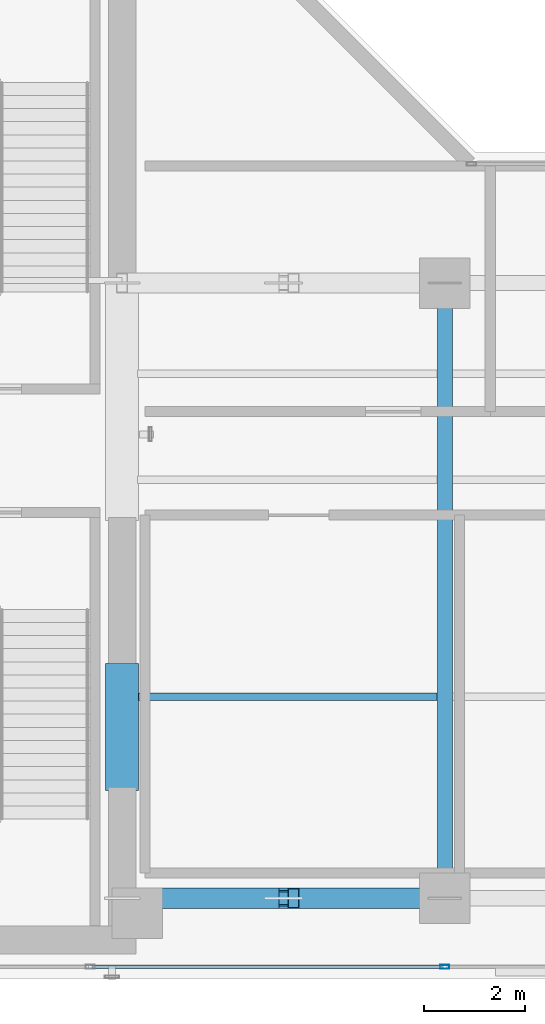
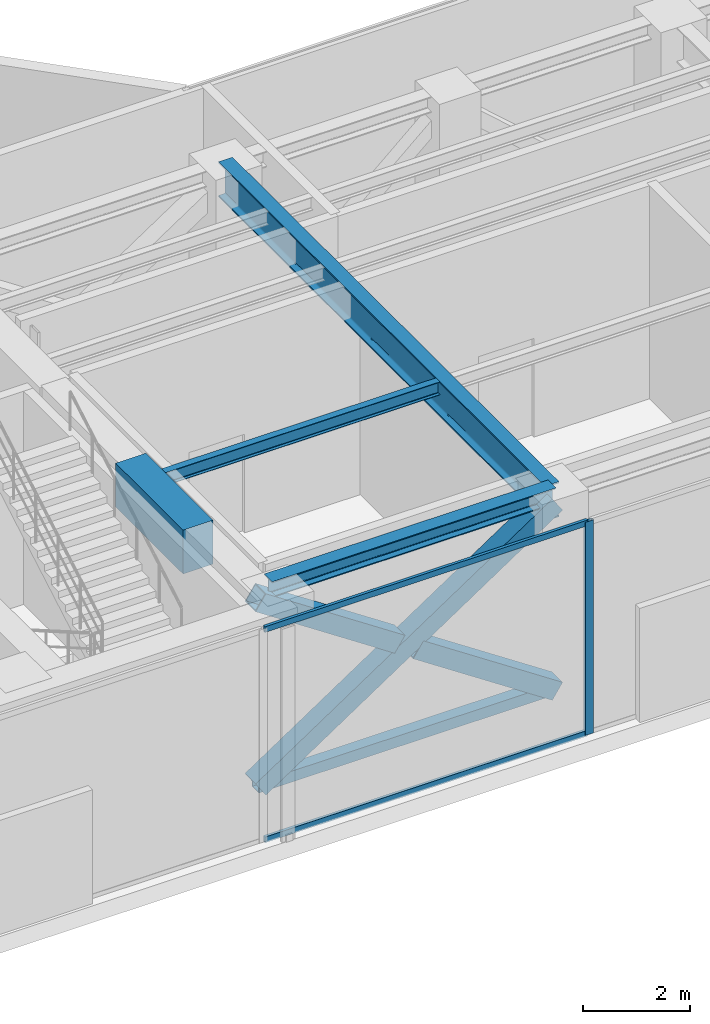
# One storey, part 6 of 31: 7 members, 4 beams, 1 element without a shape of its own.
"""IFC4 building model written with IfcOpenShell, lengths in metres."""

import ifcopenshell
import ifcopenshell.guid

model = None  # the IFC model being written
_history = None  # IfcOwnerHistory: only IFC2X3 demands one
_inside = {}  # id of a spatial element -> (the spatial element, [elements in it])
_under = {}  # id of a project, library or spatial element -> (it, [spatial elements below it])
_declared = {}  # id of a project -> (the project, [libraries it declares])
_typed = {}  # id of a type object -> (the type object, [elements of that type])
_made_of = {}  # id of a material, layer set ... -> (it, [elements and type objects made of it])


def new_model(schema):
    """Start an empty IFC model of exactly this schema.

    Asked for "IFC4X3", IfcOpenShell would pick the latest addendum, in which some entities
    have other attributes; the version numbers below select the first issue.
    IFC2X3 requires an IfcOwnerHistory on every rooted entity: one is made here for all.
    """
    global model, _history
    if schema == "IFC4X3":
        model = ifcopenshell.file(schema_version=(4, 3, 0, 0))
    else:
        model = ifcopenshell.file(schema=schema)
    _inside.clear()
    _under.clear()
    _declared.clear()
    _typed.clear()
    _made_of.clear()
    _history = None
    if model.schema == "IFC2X3":
        org = make("IfcOrganization", Name="unknown")
        user = make(
            "IfcPersonAndOrganization",
            ThePerson=make("IfcPerson", FamilyName="unknown"),
            TheOrganization=org,
        )
        app = make(
            "IfcApplication",
            ApplicationDeveloper=org,
            Version="unknown",
            ApplicationFullName="unknown",
            ApplicationIdentifier="unknown",
        )
        _history = make(
            "IfcOwnerHistory",
            OwningUser=user,
            OwningApplication=app,
            ChangeAction="ADDED",
            CreationDate=0,
        )
    return model


def make(cls, **values):
    """One entity of the class cls with the attributes given. An attribute that is None is left unset."""
    return model.create_entity(
        cls, **{name: value for name, value in values.items() if value is not None}
    )


def rooted(cls, **values):
    """An entity with a GlobalId (a new one), such as an element, a storey or a relation."""
    return make(cls, GlobalId=ifcopenshell.guid.new(), OwnerHistory=_history, **values)


def si_unit(unit_type, name, prefix=None):
    """IfcSIUnit, for example si_unit("LENGTHUNIT", "METRE", prefix="MILLI")."""
    return make("IfcSIUnit", UnitType=unit_type, Prefix=prefix, Name=name)


def assignment(units):
    """IfcUnitAssignment: the units of a project."""
    return None if units is None else make("IfcUnitAssignment", Units=units)


def point(xyz):
    """IfcCartesianPoint."""
    return None if xyz is None else make("IfcCartesianPoint", Coordinates=xyz)


def direction(xyz):
    """IfcDirection."""
    return None if xyz is None else make("IfcDirection", DirectionRatios=xyz)


def frame(location, z_axis=None, x_axis=None):
    """IfcAxis2Placement3D, a coordinate frame: its origin and axes. An axis left out is left unset."""
    return make(
        "IfcAxis2Placement3D",
        Location=point(location),
        Axis=direction(z_axis),
        RefDirection=direction(x_axis),
    )


def frame_2d(location, x_axis=None):
    """IfcAxis2Placement2D, a coordinate frame in the plane: its origin and x axis."""
    return make(
        "IfcAxis2Placement2D", Location=point(location), RefDirection=direction(x_axis)
    )


def origin():
    """The frame at (0, 0, 0) with its axes left unset."""
    return frame((0.0, 0.0, 0.0))


def origin_with_axes():
    """The frame at (0, 0, 0) with the z axis (0, 0, 1) and the x axis (1, 0, 0) written out."""
    return frame((0.0, 0.0, 0.0), z_axis=(0.0, 0.0, 1.0), x_axis=(1.0, 0.0, 0.0))


def origin_2d():
    """The frame at (0, 0) in the plane with its x axis left unset."""
    return frame_2d((0.0, 0.0))


def place(relative_to, where):
    """IfcLocalPlacement: puts the frame where relative to a parent placement (None: the world)."""
    return make(
        "IfcLocalPlacement", PlacementRelTo=relative_to, RelativePlacement=where
    )


def context(
    kind, dimensions, precision=None, world=None, true_north=None, identifier=None
):
    """IfcGeometricRepresentationContext, for example the 3D "Model" context."""
    return make(
        "IfcGeometricRepresentationContext",
        ContextIdentifier=identifier,
        ContextType=kind,
        CoordinateSpaceDimension=dimensions,
        Precision=precision,
        WorldCoordinateSystem=world,
        TrueNorth=true_north,
    )


def subcontext(parent, identifier, kind, view, scale=None):
    """IfcGeometricRepresentationSubContext, for example "Body" below "Model"."""
    return make(
        "IfcGeometricRepresentationSubContext",
        ContextIdentifier=identifier,
        ContextType=kind,
        ParentContext=parent,
        TargetScale=scale,
        TargetView=view,
    )


def project(units=None, contexts=None):
    """IfcProject with its units and contexts."""
    return rooted(
        "IfcProject",
        Name="project",
        RepresentationContexts=contexts,
        UnitsInContext=assignment(units),
    )


def spatial(cls, under=None, at=None, **own):
    """A site, building, storey or space (cls), placed at a placement, below another one or the project."""
    s = rooted(cls, ObjectPlacement=at, **own)
    if under is not None:
        _under.setdefault(under.id(), (under, []))[1].append(s)
    return s


def profile(cls, at=None, kind="AREA", **sizes):
    """A parametric profile (cls). Its sizes go by their IFC names, for example OverallWidth=200.0."""
    return make(cls, ProfileType=kind, Position=at, **sizes)


def rectangle(**sizes):
    """IfcRectangleProfileDef."""
    return profile("IfcRectangleProfileDef", **sizes)


def hollow_rectangle(**sizes):
    """IfcRectangleHollowProfileDef."""
    return profile("IfcRectangleHollowProfileDef", **sizes)


def i_section(**sizes):
    """IfcIShapeProfileDef."""
    return profile("IfcIShapeProfileDef", **sizes)


def extrude(swept, where, along, depth):
    """IfcExtrudedAreaSolid: the profile swept, set in the frame where, extruded along a direction by depth."""
    return make(
        "IfcExtrudedAreaSolid",
        SweptArea=swept,
        Position=where,
        ExtrudedDirection=direction(along),
        Depth=depth,
    )


def shape(context_of_items, identifier, shape_type, items):
    """IfcShapeRepresentation: the items that make up one representation, for example the "Body"."""
    return make(
        "IfcShapeRepresentation",
        ContextOfItems=context_of_items,
        RepresentationIdentifier=identifier,
        RepresentationType=shape_type,
        Items=items,
    )


def source(mapping_origin, context_of_items, identifier, shape_type, items):
    """IfcRepresentationMap: a shape defined once, which mapped items show again and again."""
    return make(
        "IfcRepresentationMap",
        MappingOrigin=mapping_origin,
        MappedRepresentation=shape(context_of_items, identifier, shape_type, items),
    )


def transform(
    local_origin,
    x_axis=None,
    y_axis=None,
    z_axis=None,
    scale=None,
    scale2=None,
    scale3=None,
    uniform=True,
):
    """IfcCartesianTransformationOperator3D, or its non-uniform kind. x_axis, y_axis, z_axis: its Axis1, 2, 3."""
    if uniform:
        return make(
            "IfcCartesianTransformationOperator3D",
            Axis1=direction(x_axis),
            Axis2=direction(y_axis),
            LocalOrigin=point(local_origin),
            Scale=scale,
            Axis3=direction(z_axis),
        )
    return make(
        "IfcCartesianTransformationOperator3DnonUniform",
        Axis1=direction(x_axis),
        Axis2=direction(y_axis),
        LocalOrigin=point(local_origin),
        Scale=scale,
        Axis3=direction(z_axis),
        Scale2=scale2,
        Scale3=scale3,
    )


def mapped(mapping_source, mapping_target):
    """IfcMappedItem: shows the shape of a source again, moved by a transform."""
    return make(
        "IfcMappedItem", MappingSource=mapping_source, MappingTarget=mapping_target
    )


def material(Name=None, Category=None):
    """IfcMaterial."""
    return make("IfcMaterial", Name=Name, Category=Category)


def layer(
    of_material, thickness, ventilated=None, Name=None, Category=None, Priority=None
):
    """IfcMaterialLayer: one layer of a wall or slab, of a material (None: an air gap)."""
    return make(
        "IfcMaterialLayer",
        Material=of_material,
        LayerThickness=thickness,
        IsVentilated=ventilated,
        Name=Name,
        Category=Category,
        Priority=Priority,
    )


def layer_set(layers, Name=None):
    """IfcMaterialLayerSet."""
    return make("IfcMaterialLayerSet", MaterialLayers=layers, LayerSetName=Name)


def material_profile(
    of_material, cross_section, Name=None, Category=None, Priority=None
):
    """IfcMaterialProfile: a cross section and its material."""
    return make(
        "IfcMaterialProfile",
        Name=Name,
        Material=of_material,
        Profile=cross_section,
        Priority=Priority,
        Category=Category,
    )


def profile_set(profiles, Name=None, composite=None):
    """IfcMaterialProfileSet."""
    return make(
        "IfcMaterialProfileSet",
        Name=Name,
        MaterialProfiles=profiles,
        CompositeProfile=composite,
    )


def made_of(thing, what):
    """Note that an element or type object is made of a material, layer set ...; save() writes the relation."""
    if what is not None:
        _made_of.setdefault(what.id(), (what, []))[1].append(thing)
    return thing


def type_object(cls, material=None, **own):
    """A type object (cls), such as IfcWallType, which elements share."""
    return made_of(rooted(cls, **own), material)


def element(
    cls,
    number,
    at=None,
    inside=None,
    cuts=None,
    type_object=None,
    material=None,
    context=None,
    identifier="Body",
    shape_type=None,
    held_by="IfcProductDefinitionShape",
    body=None,
    shapes=None,
    **own,
):
    """One element of the class cls, such as IfcWall. Its Tag is "e" and its number.

    at: its placement. inside: the storey or other place that contains it. cuts: it is an
    opening in that element (IfcRelVoidsElement). A single representation is given by context,
    identifier, shape_type and body (its items); several are given by shapes. held_by: the class
    of the entity that holds the representations. save() writes the other relations.
    """
    e = rooted(cls, Tag="e%d" % number, ObjectPlacement=at, **own)
    if body is not None:
        shapes = [shape(context, identifier, shape_type, body)]
    if shapes is not None:
        e.Representation = make(held_by, Representations=shapes)
    if inside is not None:
        _inside.setdefault(inside.id(), (inside, []))[1].append(e)
    if cuts is not None:
        rooted(
            "IfcRelVoidsElement", RelatingBuildingElement=cuts, RelatedOpeningElement=e
        )
    if type_object is not None:
        _typed.setdefault(type_object.id(), (type_object, []))[1].append(e)
    return made_of(e, material)


def aggregate(whole, parts):
    """IfcRelAggregates: a whole, such as a stair, and the parts it consists of."""
    return rooted("IfcRelAggregates", RelatingObject=whole, RelatedObjects=parts)


def save(model, path):
    """Write the relations noted so far, then the file.

    IfcRelAggregates (storeys below a building ...), IfcRelContainedInSpatialStructure (elements
    in a storey), IfcRelDefinesByType, IfcRelAssociatesMaterial and IfcRelDeclares: one each for
    every whole, place, type object, material and project.
    """
    for whole, parts in _under.values():
        aggregate(whole, parts)
    for where, things in _inside.values():
        rooted(
            "IfcRelContainedInSpatialStructure",
            RelatedElements=things,
            RelatingStructure=where,
        )
    for kind, things in _typed.values():
        rooted("IfcRelDefinesByType", RelatedObjects=things, RelatingType=kind)
    for what, things in _made_of.values():
        rooted("IfcRelAssociatesMaterial", RelatedObjects=things, RelatingMaterial=what)
    for by, libraries in _declared.values():
        rooted("IfcRelDeclares", RelatingContext=by, RelatedDefinitions=libraries)
    model.write(path)


model = new_model("IFC4")

# Units and contexts
model_context = context("Model", 3, precision=1e-05, world=origin(), true_north=direction((0.0, 1.0)))
body_context = subcontext(model_context, "Body", "Model", "MODEL_VIEW")
ifc_project = project(units=[si_unit("LENGTHUNIT", "METRE"), si_unit("AREAUNIT", "SQUARE_METRE"), si_unit("VOLUMEUNIT", "CUBIC_METRE"), si_unit("PLANEANGLEUNIT", "RADIAN"), si_unit("MASSUNIT", "GRAM", prefix="KILO")], contexts=[model_context])

# Site, building, storey
site_placement = place(None, origin())
site = spatial("IfcSite", under=ifc_project, at=site_placement, CompositionType="ELEMENT")
building_placement = place(site_placement, origin())
building = spatial("IfcBuilding", under=site, at=building_placement, Name="Kolvaren Waterfront Exchange", CompositionType="ELEMENT")
storey_placement = place(building_placement, frame((0.0, 0.0, 257.699951171875)))
storey = spatial("IfcBuildingStorey", under=building, at=storey_placement, Name="L66", CompositionType="ELEMENT", Elevation=257.699951171875)

# Beams
ifc_material_1 = material(Name="Steel S355", Category="steel")
ifc_material_profile_1 = material_profile(ifc_material_1, i_section(OverallWidth=0.300048828125, OverallDepth=0.360107421875, WebThickness=0.012451171875, FlangeThickness=0.0224609375, FilletRadius=0.027099609375, at=origin_2d()), Name="HEB360")
ifc_profile_set_1 = profile_set([ifc_material_profile_1], Name="Steel S355")
beam_type_1 = type_object("IfcBeamType", Name="STR-BM-HEB360", PredefinedType="SPANDREL", material=ifc_profile_set_1)
beam_1_placement = place(storey_placement, frame((21.074951171875, 5.199951171875, 4.679931640625), z_axis=(1.0, 0.0, 0.0), x_axis=(0.0, 1.0, 0.0)))
element("IfcBeam", 1, at=beam_1_placement, inside=storey, type_object=beam_type_1, Name="L66 east-arm spandrel S1", PredefinedType="SPANDREL", context=body_context, shape_type="SweptSolid", body=[
    extrude(i_section(OverallWidth=0.300048828125, OverallDepth=0.360107421875, WebThickness=0.012451171875, FlangeThickness=0.0224609375, FilletRadius=0.027099609375, at=origin_2d()), origin(), (0.0, 0.0, 1.0), 6.125),
])
ifc_material_profile_2 = material_profile(ifc_material_1, i_section(OverallWidth=0.300048828125, OverallDepth=0.800048828125, WebThickness=0.017578125, FlangeThickness=0.032958984375, FilletRadius=0.030029296875, at=origin_2d()), Name="HEB800")
ifc_profile_set_2 = profile_set([ifc_material_profile_2], Name="Steel S355")
beam_type_2 = type_object("IfcBeamType", Name="STR-BM-HEB800", PredefinedType="BEAM", material=ifc_profile_set_2)
beam_2_placement = place(storey_placement, frame((27.199951171875, 5.199951171875, 4.4599609375), z_axis=(0.0, 1.0, 0.0), x_axis=(-1.0, 0.0, 0.0)))
element("IfcBeam", 2, at=beam_2_placement, inside=storey, type_object=beam_type_2, Name="L66 east-arm transverse girder X27", PredefinedType="BEAM", context=body_context, shape_type="SweptSolid", body=[
    extrude(i_section(OverallWidth=0.300048828125, OverallDepth=0.800048828125, WebThickness=0.017578125, FlangeThickness=0.032958984375, FilletRadius=0.030029296875, at=origin_2d()), origin(), (0.0, 0.0, 1.0), 12.199951171875),
])
ifc_material_profile_3 = material_profile(ifc_material_1, i_section(OverallWidth=0.14990234375, OverallDepth=0.300048828125, WebThickness=0.007080078125, FlangeThickness=0.0107421875, FilletRadius=0.014892578125, at=origin_2d()), Name="IPE300")
ifc_profile_set_3 = profile_set([ifc_material_profile_3], Name="Steel S355")
beam_type_3 = type_object("IfcBeamType", Name="STR-BM-IPE300", PredefinedType="JOIST", material=ifc_profile_set_3)
beam_3_placement = place(storey_placement, frame((21.10009765625, 9.199951171875, 4.7099609375), z_axis=(1.0, 0.0, 0.0), x_axis=(0.0, 1.0, 0.0)))
element("IfcBeam", 3, at=beam_3_placement, inside=storey, type_object=beam_type_3, Name="L66 east-arm composite joist 1B", PredefinedType="JOIST", context=body_context, shape_type="SweptSolid", body=[
    extrude(i_section(OverallWidth=0.14990234375, OverallDepth=0.300048828125, WebThickness=0.007080078125, FlangeThickness=0.0107421875, FilletRadius=0.014892578125, at=origin_2d()), origin(), (0.0, 0.0, 1.0), 5.947998046875),
])

# Members
ifc_material_profile_4 = material_profile(ifc_material_1, hollow_rectangle(XDim=0.25, YDim=0.25, WallThickness=0.012451171875, at=origin_2d()), Name="SHS250x250x12.5")
ifc_profile_set_4 = profile_set([ifc_material_profile_4], Name="Steel S355")
member_type_1 = type_object("IfcMemberType", Name="STR-BR-SHS250", PredefinedType="CHORD", material=ifc_profile_set_4)
member_1_placement = place(storey_placement, frame((20.800048828125, 5.199951171875, 0.25), z_axis=(1.0, 0.0, 0.0), x_axis=(0.0, 1.0, 0.0)))
element("IfcMember", 4, at=member_1_placement, inside=storey, type_object=member_type_1, Name="L66 outrigger bottom chord OA1", PredefinedType="CHORD", context=body_context, shape_type="SweptSolid", body=[
    extrude(hollow_rectangle(XDim=0.25, YDim=0.25, WallThickness=0.012451171875, at=origin_2d()), origin(), (0.0, 0.0, 1.0), 6.39990234375),
])
ifc_material_2 = material(Name="Steel S460", Category="steel")
ifc_material_profile_5 = material_profile(ifc_material_2, hollow_rectangle(XDim=0.39990234375, YDim=0.39990234375, WallThickness=0.02001953125, at=origin_2d()), Name="SHS400x400x20")
ifc_profile_set_5 = profile_set([ifc_material_profile_5], Name="Steel S460")
member_type_2 = type_object("IfcMemberType", Name="STR-BR-SHS400", PredefinedType="BRACE", material=ifc_profile_set_5)
member_2_placement = place(storey_placement, frame((20.800048828125, 5.199951171875, 0.25), z_axis=(0.832445808378, 0.0, 0.554106466407), x_axis=(0.0, 1.0, 0.0)))
element("IfcMember", 5, at=member_2_placement, inside=storey, type_object=member_type_2, Name="L66 outrigger diagonal OA1.1", PredefinedType="BRACE", context=body_context, shape_type="SweptSolid", body=[
    extrude(hollow_rectangle(XDim=0.39990234375, YDim=0.39990234375, WallThickness=0.02001953125, at=origin_2d()), origin(), (0.0, 0.0, 1.0), 7.68798828125),
])
for number, where, z_axis, x_axis, name in (
    (6, (27.199951171875, 5.199951171875, 0.25), (-0.832446095636, 0.0, 0.554106034853), (0.0, -1.0, 0.0), "L66 outrigger split diagonal OA1.2A"),
    (7, (23.80029296875, 5.199951171875, 2.512939453125), (-0.832446095636, 0.0, 0.554106034853), (0.0, -1.0, 0.0), "L66 outrigger split diagonal OA1.2B"),
):
    element("IfcMember", number, at=place(storey_placement, frame(where, z_axis=z_axis, x_axis=x_axis)), inside=storey, type_object=member_type_2, Name=name, PredefinedType="BRACE", context=body_context, shape_type="SweptSolid", body=[
        extrude(hollow_rectangle(XDim=0.39990234375, YDim=0.39990234375, WallThickness=0.02001953125, at=origin_2d()), origin(), (0.0, 0.0, 1.0), 3.604248046875),
    ])

# Beam
ifc_material_3 = material(Name="Concrete C60/75", Category="concrete")
ifc_material_profile_6 = material_profile(ifc_material_3, rectangle(XDim=0.64990234375, YDim=1.0, at=origin_2d()), Name="RC-CB-1000x650")
ifc_profile_set_6 = profile_set([ifc_material_profile_6], Name="Concrete C60/75")
beam_type_4 = type_object("IfcBeamType", Name="STR-CB-1000", PredefinedType="SPANDREL", material=ifc_profile_set_6)
beam_4_placement = place(storey_placement, frame((20.800048828125, 7.340087890625, 4.360107421875), z_axis=(0.0, 1.0, 0.0), x_axis=(-1.0, 0.0, 0.0)))
element("IfcBeam", 8, at=beam_4_placement, inside=storey, type_object=beam_type_4, Name="L66 core coupling beam 1", PredefinedType="SPANDREL", context=body_context, shape_type="SweptSolid", body=[
    extrude(rectangle(XDim=0.64990234375, YDim=1.0, at=origin_2d()), origin(), (0.0, 0.0, 1.0), 2.52001953125),
])

# Curtain wall, members
ifc_material_4 = material(Name="Anodised dark bronze spandrel aluminium", Category="aluminium")
ifc_layer = layer(ifc_material_4, 0.219970703125, Name="Anodised dark bronze spandrel aluminium")
ifc_layer_set = layer_set([ifc_layer], Name="Anodised dark bronze spandrel aluminium")
curtain_wall_type = type_object("IfcCurtainWallType", Name="ARC-CW-SYS6", PredefinedType="USERDEFINED", material=ifc_layer_set)
curtain_wall_placement = place(storey_placement, origin())
curtain_wall = element("IfcCurtainWall", 9, at=curtain_wall_placement, inside=storey, type_object=curtain_wall_type, Name="L66 stick curtain wall CW6 (CW-L66-S)", ObjectType="STICK CURTAIN WALL", PredefinedType="USERDEFINED")
ifc_material_5 = material(Name="Anodised bronze aluminium 6063-T6", Category="aluminium")
ifc_material_profile_7 = material_profile(ifc_material_5, hollow_rectangle(XDim=0.074951171875, YDim=0.179931640625, WallThickness=0.00439453125, at=origin_2d()), Name="ALU-MUL-180x75x4.5")
ifc_profile_set_7 = profile_set([ifc_material_profile_7], Name="Anodised bronze aluminium 6063-T6")
member_type_3 = type_object("IfcMemberType", Name="ARC-CWM-180", PredefinedType="MULLION", material=ifc_profile_set_7)
shared_shape_1 = source(origin_with_axes(), body_context, "Body", "SweptSolid", [
    extrude(hollow_rectangle(XDim=0.074951171875, YDim=0.179931640625, WallThickness=0.00439453125, at=origin_2d()), origin(), (0.0, 0.0, 1.0), 4.860107421875),
])
member_3_placement = place(storey_placement, frame((27.199951171875, 3.840087890625, 0.0), z_axis=(0.0, 0.0, 1.0), x_axis=(0.0, 1.0, 0.0)))
member_3 = element("IfcMember", 10, at=member_3_placement, type_object=member_type_3, Name="CW6 mullion 4", PredefinedType="MULLION", context=body_context, shape_type="MappedRepresentation", body=[
    mapped(shared_shape_1, transform((0.0, 0.0, 0.0), x_axis=(1.0, 0.0, 0.0), y_axis=(0.0, 1.0, 0.0), z_axis=(0.0, 0.0, 1.0), scale=1.0)),
])
ifc_material_profile_8 = material_profile(ifc_material_5, hollow_rectangle(XDim=0.06494140625, YDim=0.1298828125, WallThickness=0.00390625, at=origin_2d()), Name="ALU-TRN-130x65x4")
ifc_profile_set_8 = profile_set([ifc_material_profile_8], Name="Anodised bronze aluminium 6063-T6")
member_type_4 = type_object("IfcMemberType", Name="ARC-CWT-130", PredefinedType="USERDEFINED", material=ifc_profile_set_8)
shared_shape_2 = source(origin_with_axes(), body_context, "Body", "SweptSolid", [
    extrude(hollow_rectangle(XDim=0.06494140625, YDim=0.1298828125, WallThickness=0.00390625, at=origin_2d()), origin(), (0.0, 0.0, 1.0), 6.95849609375),
])
member_4_placement = place(storey_placement, frame((20.2041015625, 3.840087890625, 0.032470703125), z_axis=(1.0, 0.0, 0.0), x_axis=(0.0, 1.0, 0.0)))
member_4 = element("IfcMember", 11, at=member_4_placement, type_object=member_type_4, Name="CW6 transom 3.1", ObjectType="TRANSOM", PredefinedType="USERDEFINED", context=body_context, shape_type="MappedRepresentation", body=[
    mapped(shared_shape_2, transform((0.0, 0.0, 0.0), x_axis=(1.0, 0.0, 0.0), y_axis=(0.0, 1.0, 0.0), z_axis=(0.0, 0.0, 1.0), scale=1.0)),
])
member_5_placement = place(storey_placement, frame((20.2041015625, 3.840087890625, 4.82763671875), z_axis=(1.0, 0.0, 0.0), x_axis=(0.0, 1.0, 0.0)))
member_5 = element("IfcMember", 12, at=member_5_placement, type_object=member_type_4, Name="CW6 transom 3.2", ObjectType="TRANSOM", PredefinedType="USERDEFINED", context=body_context, shape_type="MappedRepresentation", body=[
    mapped(shared_shape_2, transform((0.0, 0.0, 0.0), x_axis=(1.0, 0.0, 0.0), y_axis=(0.0, 1.0, 0.0), z_axis=(0.0, 0.0, 1.0), scale=1.0)),
])
aggregate(curtain_wall, [member_3, member_4, member_5])

save(model, "model.ifc")
